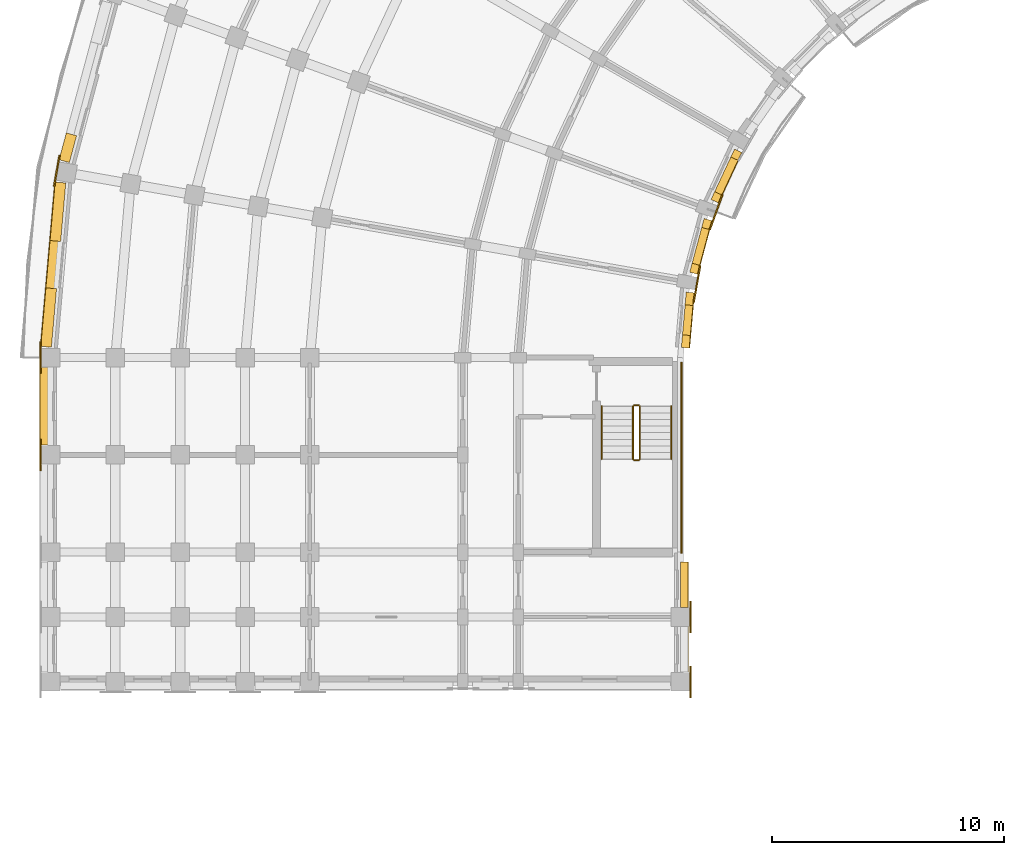
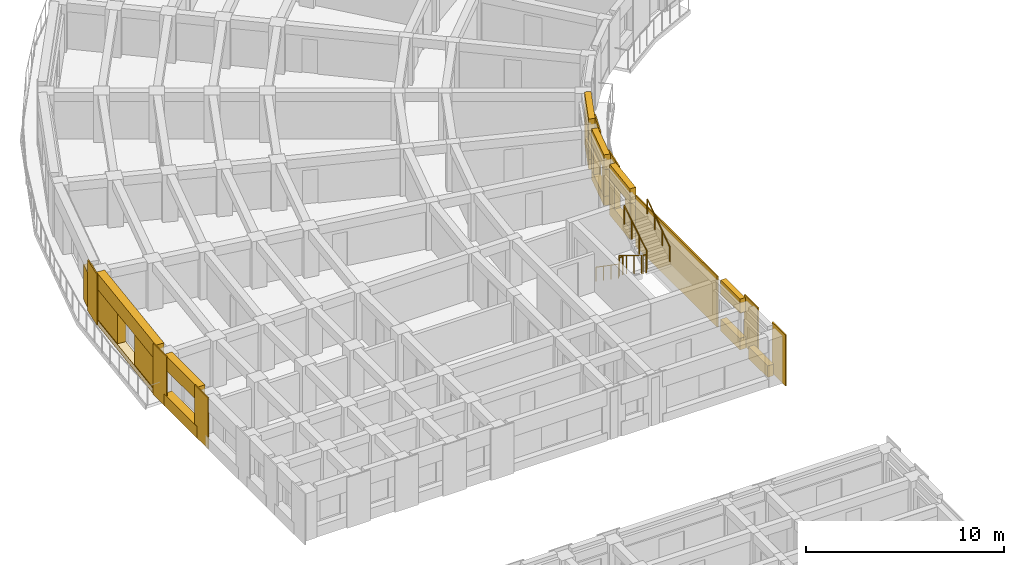
# One storey, part 44 of 54: 30 coverings, 6 railings.
"""IFC4 building model written with IfcOpenShell, lengths in metres."""

from ifc_helpers import new_model, si_unit, direction, frame, origin, origin_2d, place, context, subcontext, project, spatial, polyline, circle, outline, extrude, material, layer, layer_set, type_object, element, save


model = new_model("IFC4")

# Units and contexts
model_context = context("Model", 3, precision=1e-05, world=origin(), true_north=direction((0.0, 1.0)))
body_context = subcontext(model_context, "Body", "Model", "MODEL_VIEW")
ifc_project = project(units=[si_unit("LENGTHUNIT", "METRE"), si_unit("AREAUNIT", "SQUARE_METRE"), si_unit("VOLUMEUNIT", "CUBIC_METRE"), si_unit("PLANEANGLEUNIT", "RADIAN"), si_unit("MASSUNIT", "GRAM", prefix="KILO")], contexts=[model_context])

# Site, building, storey
site_placement = place(None, origin())
site = spatial("IfcSite", under=ifc_project, at=site_placement, CompositionType="ELEMENT")
building_placement = place(site_placement, origin())
building = spatial("IfcBuilding", under=site, at=building_placement, Name="Kiranvali Square Residences", CompositionType="ELEMENT")
storey_placement = place(building_placement, frame((0.0, 0.0, 11.85009765625)))
storey = spatial("IfcBuildingStorey", under=building, at=storey_placement, Name="L03", CompositionType="ELEMENT", Elevation=11.85009765625)

# Coverings
ifc_material_1 = material(Name="Honed Porbandar limestone ashlar facade cladding", Category="masonry")
ifc_layer_1 = layer(ifc_material_1, 0.3798828125)
ifc_layer_set_1 = layer_set([ifc_layer_1], Name="Honed Porbandar limestone ashlar facade cladding")
covering_type_1 = type_object("IfcCoveringType", Name="COV-CLAD-JAMB", PredefinedType="CLADDING", material=ifc_layer_set_1)
covering_1_placement = place(storey_placement, origin())
element("IfcCovering", 1, at=covering_1_placement, inside=storey, type_object=covering_type_1, Name="L03 deep limestone window jamb reveal A-L03-CRV-07.R", PredefinedType="CLADDING", context=body_context, shape_type="SweptSolid", body=[
    extrude(outline(polyline([(2.8818359375, 97.50146484375), (2.571044921875, 96.341552734375), (3.014892578125, 96.22265625), (3.32568359375, 97.382568359375), (2.8818359375, 97.50146484375)])), origin(), (0.0, 0.0, 1.0), 2.179931640625),
])
covering_2_placement = place(storey_placement, frame((0.0, 0.0, 0.322021484375)))
element("IfcCovering", 2, at=covering_2_placement, inside=storey, type_object=covering_type_1, Name="L03 deep limestone window jamb reveal A-L03-CRV-08.L", PredefinedType="CLADDING", context=body_context, shape_type="SweptSolid", body=[
    extrude(outline(polyline([(2.4013671875, 95.379638671875), (2.180419921875, 92.85498046875), (2.63818359375, 92.81494140625), (2.859130859375, 95.339599609375), (2.4013671875, 95.379638671875)])), origin(), (0.0, 0.0, 1.0), 1.849853515625),
])
covering_3_placement = place(storey_placement, frame((0.0, 0.0, 0.322021484375)))
element("IfcCovering", 3, at=covering_3_placement, inside=storey, type_object=covering_type_1, Name="L03 deep limestone window jamb reveal A-L03-CRV-08.R", PredefinedType="CLADDING", context=body_context, shape_type="SweptSolid", body=[
    extrude(outline(polyline([(2.001953125, 90.81298828125), (1.781005859375, 88.288330078125), (2.23876953125, 88.248291015625), (2.45947265625, 90.77294921875), (2.001953125, 90.81298828125)])), origin(), (0.0, 0.0, 1.0), 1.849853515625),
])
covering_4_placement = place(storey_placement, frame((0.0, 0.0, 0.621826171875)))
element("IfcCovering", 4, at=covering_4_placement, inside=storey, type_object=covering_type_1, Name="L03 deep limestone window jamb reveal A-L03-GDN-06.L", PredefinedType="CLADDING", context=body_context, shape_type="SweptSolid", body=[
    extrude(outline(polyline([(31.733154296875, 96.801025390625), (31.575439453125, 96.46240234375), (31.883056640625, 96.319091796875), (32.041015625, 96.657470703125), (31.733154296875, 96.801025390625)])), origin(), (0.0, 0.0, 1.0), 1.60009765625),
])
covering_5_placement = place(storey_placement, frame((0.0, 0.0, 0.621826171875)))
element("IfcCovering", 5, at=covering_5_placement, inside=storey, type_object=covering_type_1, Name="L03 deep limestone window jamb reveal A-L03-GDN-06.R", PredefinedType="CLADDING", context=body_context, shape_type="SweptSolid", body=[
    extrude(outline(polyline([(30.8779296875, 94.967041015625), (30.72021484375, 94.62841796875), (31.02783203125, 94.485107421875), (31.185791015625, 94.823486328125), (30.8779296875, 94.967041015625)])), origin(), (0.0, 0.0, 1.0), 1.60009765625),
])
covering_6_placement = place(storey_placement, frame((0.0, 0.0, 0.572021484375)))
element("IfcCovering", 6, at=covering_6_placement, inside=storey, type_object=covering_type_1, Name="L03 deep limestone window jamb reveal A-L03-GDN-07.L", PredefinedType="CLADDING", context=body_context, shape_type="SweptSolid", body=[
    extrude(outline(polyline([(30.42041015625, 93.804931640625), (30.317138671875, 93.419921875), (30.645263671875, 93.33203125), (30.748291015625, 93.717041015625), (30.42041015625, 93.804931640625)])), origin(), (0.0, 0.0, 1.0), 1.64990234375),
])
covering_7_placement = place(storey_placement, frame((0.0, 0.0, 0.572021484375)))
element("IfcCovering", 7, at=covering_7_placement, inside=storey, type_object=covering_type_1, Name="L03 deep limestone window jamb reveal A-L03-GDN-07.R", PredefinedType="CLADDING", context=body_context, shape_type="SweptSolid", body=[
    extrude(outline(polyline([(29.903076171875, 91.87451171875), (29.800048828125, 91.489501953125), (30.1279296875, 91.401611328125), (30.23095703125, 91.78662109375), (29.903076171875, 91.87451171875)])), origin(), (0.0, 0.0, 1.0), 1.64990234375),
])
covering_8_placement = place(storey_placement, frame((0.0, 0.0, 0.721923828125)))
element("IfcCovering", 8, at=covering_8_placement, inside=storey, type_object=covering_type_1, Name="L03 deep limestone window jamb reveal A-L03-GDN-08.L", PredefinedType="CLADDING", context=body_context, shape_type="SweptSolid", body=[
    extrude(outline(polyline([(29.647705078125, 90.626220703125), (29.599853515625, 90.079833984375), (29.938232421875, 90.05029296875), (29.986083984375, 90.5966796875), (29.647705078125, 90.626220703125)])), origin(), (0.0, 0.0, 1.0), 1.5),
])
covering_9_placement = place(storey_placement, frame((0.0, 0.0, 0.721923828125)))
element("IfcCovering", 9, at=covering_9_placement, inside=storey, type_object=covering_type_1, Name="L03 deep limestone window jamb reveal A-L03-GDN-08.R", PredefinedType="CLADDING", context=body_context, shape_type="SweptSolid", body=[
    extrude(outline(polyline([(29.486572265625, 88.78466796875), (29.43896484375, 88.23828125), (29.777099609375, 88.208740234375), (29.824951171875, 88.755126953125), (29.486572265625, 88.78466796875)])), origin(), (0.0, 0.0, 1.0), 1.5),
])
ifc_layer_2 = layer(ifc_material_1, 0.06494140625)
ifc_layer_set_2 = layer_set([ifc_layer_2], Name="Honed Porbandar limestone ashlar facade cladding")
covering_type_2 = type_object("IfcCoveringType", Name="COV-CLAD-PIER", PredefinedType="CLADDING", material=ifc_layer_set_2)
covering_10_placement = place(storey_placement, frame((0.0, 0.0, 0.0048828125)))
element("IfcCovering", 10, at=covering_10_placement, inside=storey, type_object=covering_type_2, Name="L03 Classical limestone corner pilaster CLAD-PR-A-L03-A08", PredefinedType="CLADDING", context=body_context, shape_type="SweptSolid", body=[
    extrude(outline(polyline([(2.555908203125, 96.538818359375), (2.31982421875, 95.199462890625), (2.38623046875, 95.187744140625), (2.62255859375, 96.527099609375), (2.555908203125, 96.538818359375)])), origin(), (0.0, 0.0, 1.0), 3.14013671875),
])
covering_11_placement = place(storey_placement, frame((0.0, 0.0, 0.0048828125)))
element("IfcCovering", 11, at=covering_11_placement, inside=storey, type_object=covering_type_2, Name="L03 Classical limestone corner pilaster CLAD-PR-A-L03-A09", PredefinedType="CLADDING", context=body_context, shape_type="SweptSolid", body=[
    extrude(outline(polyline([(1.73193359375, 88.47998046875), (1.73193359375, 87.1201171875), (1.799560546875, 87.1201171875), (1.799560546875, 88.47998046875), (1.73193359375, 88.47998046875)])), origin(), (0.0, 0.0, 1.0), 3.14013671875),
])
covering_12_placement = place(storey_placement, frame((0.0, 0.0, 0.0048828125)))
element("IfcCovering", 12, at=covering_12_placement, inside=storey, type_object=covering_type_2, Name="L03 Classical limestone pilaster casing CLAD-PR-A-L03-V42", PredefinedType="CLADDING", context=body_context, shape_type="SweptSolid", body=[
    extrude(outline(polyline([(1.73193359375, 84.280029296875), (1.73193359375, 82.919921875), (1.799560546875, 82.919921875), (1.799560546875, 84.280029296875), (1.73193359375, 84.280029296875)])), origin(), (0.0, 0.0, 1.0), 3.14013671875),
])
covering_13_placement = place(storey_placement, frame((0.0, 0.0, 0.0048828125)))
element("IfcCovering", 13, at=covering_13_placement, inside=storey, type_object=covering_type_2, Name="Block A L03 Arm 2 stair limestone ashlar cladding", PredefinedType="CLADDING", context=body_context, shape_type="SweptSolid", body=[
    extrude(outline(polyline([(29.402099609375, 87.60009765625), (29.402099609375, 79.35009765625), (29.47998046875, 79.35009765625), (29.47998046875, 87.60009765625), (29.402099609375, 87.60009765625)])), origin(), (0.0, 0.0, 1.0), 3.14013671875),
])
ifc_layer_3 = layer(ifc_material_1, 0.050048828125)
ifc_layer_set_3 = layer_set([ifc_layer_3], Name="Honed Porbandar limestone ashlar facade cladding")
covering_type_3 = type_object("IfcCoveringType", Name="COV-CLAD-PIER-IN", PredefinedType="CLADDING", material=ifc_layer_set_3)
covering_14_placement = place(storey_placement, frame((0.0, 0.0, 0.0048828125)))
element("IfcCovering", 14, at=covering_14_placement, inside=storey, type_object=covering_type_3, Name="L03 Classical garden courtyard pilaster CLAD-PRIN-A-L03-A07", PredefinedType="CLADDING", context=body_context, shape_type="SweptSolid", body=[
    extrude(outline(polyline([(30.699951171875, 93.318115234375), (31.2470703125, 94.82177734375), (31.183837890625, 94.8447265625), (30.636474609375, 93.34130859375), (30.699951171875, 93.318115234375)])), origin(), (0.0, 0.0, 1.0), 3.14013671875),
])
covering_15_placement = place(storey_placement, frame((0.0, 0.0, 0.0048828125)))
element("IfcCovering", 15, at=covering_15_placement, inside=storey, type_object=covering_type_3, Name="L03 Classical garden courtyard pilaster CLAD-PRIN-A-L03-A08", PredefinedType="CLADDING", context=body_context, shape_type="SweptSolid", body=[
    extrude(outline(polyline([(30.007568359375, 90.195556640625), (30.285400390625, 91.771240234375), (30.218994140625, 91.782958984375), (29.941162109375, 90.207275390625), (30.007568359375, 90.195556640625)])), origin(), (0.0, 0.0, 1.0), 3.14013671875),
])
covering_16_placement = place(storey_placement, frame((0.0, 0.0, 0.0048828125)))
element("IfcCovering", 16, at=covering_16_placement, inside=storey, type_object=covering_type_3, Name="L03 Classical limestone pilaster casing CLAD-PRA2I-A-L03-V112", PredefinedType="CLADDING", context=body_context, shape_type="SweptSolid", body=[
    extrude(outline(polyline([(29.800537109375, 77.280029296875), (29.800537109375, 75.919921875), (29.867919921875, 75.919921875), (29.867919921875, 77.280029296875), (29.800537109375, 77.280029296875)])), origin(), (0.0, 0.0, 1.0), 3.14013671875),
])
covering_17_placement = place(storey_placement, frame((0.0, 0.0, 0.0048828125)))
element("IfcCovering", 17, at=covering_17_placement, inside=storey, type_object=covering_type_3, Name="L03 Classical limestone pilaster casing CLAD-PRA2I-A-L03-V140", PredefinedType="CLADDING", context=body_context, shape_type="SweptSolid", body=[
    extrude(outline(polyline([(29.800537109375, 74.47998046875), (29.800537109375, 73.1201171875), (29.867919921875, 73.1201171875), (29.867919921875, 74.47998046875), (29.800537109375, 74.47998046875)])), origin(), (0.0, 0.0, 1.0), 3.14013671875),
])
ifc_layer_4 = layer(ifc_material_1, 0.360107421875)
ifc_layer_set_4 = layer_set([ifc_layer_4], Name="Honed Porbandar limestone ashlar facade cladding")
covering_type_4 = type_object("IfcCoveringType", Name="COV-CLAD-WALL", PredefinedType="CLADDING", material=ifc_layer_set_4)
covering_18_placement = place(storey_placement, frame((0.0, 0.0, 2.171875)))
element("IfcCovering", 18, at=covering_18_placement, inside=storey, type_object=covering_type_4, Name="L03 light limestone spandrel lintel A-L03-CRV-08", PredefinedType="CLADDING", context=body_context, shape_type="SweptSolid", body=[
    extrude(outline(polyline([(2.4013671875, 95.379638671875), (1.781005859375, 88.288330078125), (2.23876953125, 88.248291015625), (2.859130859375, 95.339599609375), (2.4013671875, 95.379638671875)])), origin(), (0.0, 0.0, 1.0), 0.97314453125),
])
covering_19_placement = place(storey_placement, frame((0.0, 0.0, 0.0048828125)))
element("IfcCovering", 19, at=covering_19_placement, inside=storey, type_object=covering_type_4, Name="L03 limestone window sill apron A-L03-CRV-08", PredefinedType="CLADDING", context=body_context, shape_type="SweptSolid", body=[
    extrude(outline(polyline([(2.37158203125, 95.38232421875), (1.7509765625, 88.291015625), (2.23876953125, 88.248291015625), (2.859130859375, 95.339599609375), (2.37158203125, 95.38232421875)])), origin(), (0.0, 0.0, 1.0), 0.317138671875),
])
covering_20_placement = place(storey_placement, frame((0.0, 0.0, 2.221923828125)))
element("IfcCovering", 20, at=covering_20_placement, inside=storey, type_object=covering_type_4, Name="L03 light limestone spandrel lintel A-L03-GDN-06", PredefinedType="CLADDING", context=body_context, shape_type="SweptSolid", body=[
    extrude(outline(polyline([(31.733154296875, 96.801025390625), (30.72021484375, 94.62841796875), (31.02783203125, 94.485107421875), (32.041015625, 96.657470703125), (31.733154296875, 96.801025390625)])), origin(), (0.0, 0.0, 1.0), 0.923095703125),
])
covering_21_placement = place(storey_placement, frame((0.0, 0.0, 2.221923828125)))
element("IfcCovering", 21, at=covering_21_placement, inside=storey, type_object=covering_type_4, Name="L03 light limestone spandrel lintel A-L03-GDN-07", PredefinedType="CLADDING", context=body_context, shape_type="SweptSolid", body=[
    extrude(outline(polyline([(30.42041015625, 93.804931640625), (29.800048828125, 91.489501953125), (30.1279296875, 91.401611328125), (30.748291015625, 93.717041015625), (30.42041015625, 93.804931640625)])), origin(), (0.0, 0.0, 1.0), 0.923095703125),
])
covering_22_placement = place(storey_placement, frame((0.0, 0.0, 2.221923828125)))
element("IfcCovering", 22, at=covering_22_placement, inside=storey, type_object=covering_type_4, Name="L03 light limestone spandrel lintel A-L03-GDN-08", PredefinedType="CLADDING", context=body_context, shape_type="SweptSolid", body=[
    extrude(outline(polyline([(29.647705078125, 90.626220703125), (29.43896484375, 88.23828125), (29.777099609375, 88.208740234375), (29.986083984375, 90.5966796875), (29.647705078125, 90.626220703125)])), origin(), (0.0, 0.0, 1.0), 0.923095703125),
])
covering_23_placement = place(storey_placement, frame((0.0, 0.0, 2.27197265625)))
element("IfcCovering", 23, at=covering_23_placement, inside=storey, type_object=covering_type_4, Name="L03 light limestone spandrel lintel A-L03-A2O-0", PredefinedType="CLADDING", context=body_context, shape_type="SweptSolid", body=[
    extrude(outline(polyline([(1.75, 87.3798828125), (1.75, 84.02001953125), (2.199462890625, 84.02001953125), (2.199462890625, 87.3798828125), (1.75, 87.3798828125)])), origin(), (0.0, 0.0, 1.0), 0.873046875),
])
covering_24_placement = place(storey_placement, frame((0.0, 0.0, 0.0048828125)))
element("IfcCovering", 24, at=covering_24_placement, inside=storey, type_object=covering_type_4, Name="L03 limestone window sill apron A-L03-A2O-0", PredefinedType="CLADDING", context=body_context, shape_type="SweptSolid", body=[
    extrude(outline(polyline([(1.719970703125, 87.3798828125), (1.719970703125, 84.02001953125), (2.199462890625, 84.02001953125), (2.199462890625, 87.3798828125), (1.719970703125, 87.3798828125)])), origin(), (0.0, 0.0, 1.0), 0.717041015625),
])
covering_25_placement = place(storey_placement, frame((0.0, 0.0, 2.27197265625)))
element("IfcCovering", 25, at=covering_25_placement, inside=storey, type_object=covering_type_4, Name="L03 light limestone spandrel lintel A-L03-A2I-0", PredefinedType="CLADDING", context=body_context, shape_type="SweptSolid", body=[
    extrude(outline(polyline([(29.400390625, 78.97998046875), (29.400390625, 77.02001953125), (29.719970703125, 77.02001953125), (29.719970703125, 78.97998046875), (29.400390625, 78.97998046875)])), origin(), (0.0, 0.0, 1.0), 0.873046875),
])
covering_26_placement = place(storey_placement, frame((0.0, 0.0, 0.0048828125)))
element("IfcCovering", 26, at=covering_26_placement, inside=storey, type_object=covering_type_4, Name="L03 limestone window sill apron A-L03-A2I-0", PredefinedType="CLADDING", context=body_context, shape_type="SweptSolid", body=[
    extrude(outline(polyline([(29.400390625, 78.97998046875), (29.400390625, 77.02001953125), (29.75, 77.02001953125), (29.75, 78.97998046875), (29.400390625, 78.97998046875)])), origin(), (0.0, 0.0, 1.0), 0.717041015625),
])
covering_27_placement = place(storey_placement, frame((0.0, 0.0, 0.0048828125)))
element("IfcCovering", 27, at=covering_27_placement, inside=storey, type_object=covering_type_4, Name="L03 limestone window sill apron A-L03-A2I-1", PredefinedType="CLADDING", context=body_context, shape_type="SweptSolid", body=[
    extrude(outline(polyline([(29.400390625, 76.179931640625), (29.400390625, 74.219970703125), (29.75, 74.219970703125), (29.75, 76.179931640625), (29.400390625, 76.179931640625)])), origin(), (0.0, 0.0, 1.0), 0.717041015625),
])
ifc_layer_5 = layer(ifc_material_1, 0.2900390625)
ifc_layer_set_5 = layer_set([ifc_layer_5], Name="Honed Porbandar limestone ashlar facade cladding")
covering_type_5 = type_object("IfcCoveringType", Name="COV-CLAD-WALL-IN", PredefinedType="CLADDING", material=ifc_layer_set_5)
covering_28_placement = place(storey_placement, frame((0.0, 0.0, 0.0048828125)))
element("IfcCovering", 28, at=covering_28_placement, inside=storey, type_object=covering_type_5, Name="L03 limestone window sill apron A-L03-GDN-06", PredefinedType="CLADDING", context=body_context, shape_type="SweptSolid", body=[
    extrude(outline(polyline([(31.733154296875, 96.801025390625), (30.72021484375, 94.62841796875), (31.05517578125, 94.472412109375), (32.068115234375, 96.644775390625), (31.733154296875, 96.801025390625)])), origin(), (0.0, 0.0, 1.0), 0.616943359375),
])
covering_29_placement = place(storey_placement, frame((0.0, 0.0, 0.0048828125)))
element("IfcCovering", 29, at=covering_29_placement, inside=storey, type_object=covering_type_5, Name="L03 limestone window sill apron A-L03-GDN-07", PredefinedType="CLADDING", context=body_context, shape_type="SweptSolid", body=[
    extrude(outline(polyline([(30.42041015625, 93.804931640625), (29.800048828125, 91.489501953125), (30.156982421875, 91.393798828125), (30.77734375, 93.709228515625), (30.42041015625, 93.804931640625)])), origin(), (0.0, 0.0, 1.0), 0.567138671875),
])
covering_30_placement = place(storey_placement, frame((0.0, 0.0, 0.0048828125)))
element("IfcCovering", 30, at=covering_30_placement, inside=storey, type_object=covering_type_5, Name="L03 limestone window sill apron A-L03-GDN-08", PredefinedType="CLADDING", context=body_context, shape_type="SweptSolid", body=[
    extrude(outline(polyline([(29.647705078125, 90.626220703125), (29.43896484375, 88.23828125), (29.806884765625, 88.2060546875), (30.015869140625, 90.593994140625), (29.647705078125, 90.626220703125)])), origin(), (0.0, 0.0, 1.0), 0.717041015625),
])

# Railings
ifc_material_2 = material(Name="Brushed stainless steel tubular handrail", Category="steel")
railing_type_1 = type_object("IfcRailingType", Name="RL-HANDRAIL-900", PredefinedType="HANDRAIL", material=ifc_material_2)
railing_1_placement = place(storey_placement, frame((26.0, 85.699951171875, 0.1748046875)))
element("IfcRailing", 31, at=railing_1_placement, inside=storey, type_object=railing_type_1, Name="L03 ST-A3 stair handrail 1", PredefinedType="HANDRAIL", context=body_context, shape_type="SweptSolid", body=[
    extrude(circle(Radius=0.02392578125, at=origin_2d()), frame((0.0, 0.0, 0.8759765625), z_axis=(0.0, -0.82274681792, 0.568408016835), x_axis=(1.0, 0.0, 0.0)), (0.0, 0.0, 1.0), 2.771240234375),
    extrude(circle(Radius=0.02099609375, at=origin_2d()), origin(), (0.0, 0.0, 1.0), 0.851806640625),
    extrude(circle(Radius=0.02099609375, at=origin_2d()), frame((0.0, -0.760009765625, 0.525146484375)), (0.0, 0.0, 1.0), 0.851806640625),
    extrude(circle(Radius=0.02099609375, at=origin_2d()), frame((0.0, -1.52001953125, 1.050048828125)), (0.0, 0.0, 1.0), 0.851806640625),
    extrude(circle(Radius=0.02099609375, at=origin_2d()), frame((0.0, -2.280029296875, 1.5751953125)), (0.0, 0.0, 1.0), 0.851806640625),
])
railing_2_placement = place(storey_placement, frame((29.0, 83.419921875, 1.75)))
element("IfcRailing", 32, at=railing_2_placement, inside=storey, type_object=railing_type_1, Name="L03 ST-A3 stair handrail 2", PredefinedType="HANDRAIL", context=body_context, shape_type="SweptSolid", body=[
    extrude(circle(Radius=0.02392578125, at=origin_2d()), frame((0.0, 0.0, 0.8759765625), z_axis=(0.0, 0.82278801735, 0.568348377763), x_axis=(-1.0, 0.0, 0.0)), (0.0, 0.0, 1.0), 2.77099609375),
    extrude(circle(Radius=0.02099609375, at=origin_2d()), origin(), (0.0, 0.0, 1.0), 0.851806640625),
    extrude(circle(Radius=0.02099609375, at=origin_2d()), frame((0.0, 0.760009765625, 0.52490234375)), (0.0, 0.0, 1.0), 0.851806640625),
    extrude(circle(Radius=0.02099609375, at=origin_2d()), frame((0.0, 1.52001953125, 1.050048828125)), (0.0, 0.0, 1.0), 0.851806640625),
    extrude(circle(Radius=0.02099609375, at=origin_2d()), frame((0.0, 2.280029296875, 1.574951171875)), (0.0, 0.0, 1.0), 0.851806640625),
])
ifc_material_3 = material(Name="Powder-coated architectural bronze balustrade", Category="steel")
railing_type_2 = type_object("IfcRailingType", Name="RL-ST-GUARD-1200", PredefinedType="GUARDRAIL", material=ifc_material_3)
railing_3_placement = place(storey_placement, frame((27.35009765625, 85.699951171875, 0.1748046875)))
element("IfcRailing", 33, at=railing_3_placement, inside=storey, type_object=railing_type_2, Name="L03 ST-A3 stair guard 1", PredefinedType="GUARDRAIL", context=body_context, shape_type="SweptSolid", body=[
    extrude(circle(Radius=0.02392578125, at=origin_2d()), frame((0.0, 0.0, 1.1259765625), z_axis=(0.0, -0.852149810458, 0.523297908018), x_axis=(1.0, 0.0, 0.0)), (0.0, 0.0, 1.0), 2.675537109375),
    extrude(circle(Radius=0.02099609375, at=origin_2d()), origin(), (0.0, 0.0, 1.0), 1.101806640625),
    extrude(circle(Radius=0.02099609375, at=origin_2d()), frame((0.0, -0.760009765625, 0.466796875)), (0.0, 0.0, 1.0), 1.101806640625),
    extrude(circle(Radius=0.02099609375, at=origin_2d()), frame((0.0, -1.52001953125, 0.933349609375)), (0.0, 0.0, 1.0), 1.101806640625),
    extrude(circle(Radius=0.02099609375, at=origin_2d()), frame((0.0, -2.280029296875, 1.400146484375)), (0.0, 0.0, 1.0), 1.101806640625),
])
railing_4_placement = place(storey_placement, frame((27.39990234375, 83.3701171875, 1.574951171875)))
element("IfcRailing", 34, at=railing_4_placement, inside=storey, type_object=railing_type_2, Name="L03 ST-A3 stair guard 2", PredefinedType="GUARDRAIL", context=body_context, shape_type="SweptSolid", body=[
    extrude(circle(Radius=0.02392578125, at=origin_2d()), frame((0.0, 0.0, 1.1259765625), z_axis=(1.0, 0.0, 0.0), x_axis=(0.0, 1.0, 0.0)), (0.0, 0.0, 1.0), 0.2001953125),
    extrude(circle(Radius=0.02099609375, at=origin_2d()), origin(), (0.0, 0.0, 1.0), 1.101806640625),
    extrude(circle(Radius=0.02099609375, at=origin_2d()), frame((0.2001953125, 0.0, 0.0)), (0.0, 0.0, 1.0), 1.101806640625),
])
railing_5_placement = place(storey_placement, frame((27.64990234375, 83.419921875, 1.75)))
element("IfcRailing", 35, at=railing_5_placement, inside=storey, type_object=railing_type_2, Name="L03 ST-A3 stair guard 3", PredefinedType="GUARDRAIL", context=body_context, shape_type="SweptSolid", body=[
    extrude(circle(Radius=0.02392578125, at=origin_2d()), frame((0.0, 0.0, 1.1259765625), z_axis=(0.0, 0.852190499154, 0.523231643875), x_axis=(-1.0, 0.0, 0.0)), (0.0, 0.0, 1.0), 2.675537109375),
    extrude(circle(Radius=0.02099609375, at=origin_2d()), origin(), (0.0, 0.0, 1.0), 1.101806640625),
    extrude(circle(Radius=0.02099609375, at=origin_2d()), frame((0.0, 0.760009765625, 0.466552734375)), (0.0, 0.0, 1.0), 1.101806640625),
    extrude(circle(Radius=0.02099609375, at=origin_2d()), frame((0.0, 1.52001953125, 0.933349609375)), (0.0, 0.0, 1.0), 1.101806640625),
    extrude(circle(Radius=0.02099609375, at=origin_2d()), frame((0.0, 2.280029296875, 1.39990234375)), (0.0, 0.0, 1.0), 1.101806640625),
])
railing_6_placement = place(storey_placement, frame((27.39990234375, 85.75, 0.0)))
element("IfcRailing", 36, at=railing_6_placement, inside=storey, type_object=railing_type_2, Name="L03 ST-A3 stair guard 4", PredefinedType="GUARDRAIL", context=body_context, shape_type="SweptSolid", body=[
    extrude(circle(Radius=0.02392578125, at=origin_2d()), frame((0.0, 0.0, 1.1259765625), z_axis=(1.0, 0.0, 0.0), x_axis=(0.0, 1.0, 0.0)), (0.0, 0.0, 1.0), 0.2001953125),
    extrude(circle(Radius=0.02099609375, at=origin_2d()), origin(), (0.0, 0.0, 1.0), 1.101806640625),
    extrude(circle(Radius=0.02099609375, at=origin_2d()), frame((0.2001953125, 0.0, 0.0)), (0.0, 0.0, 1.0), 1.101806640625),
])

save(model, "model.ifc")
